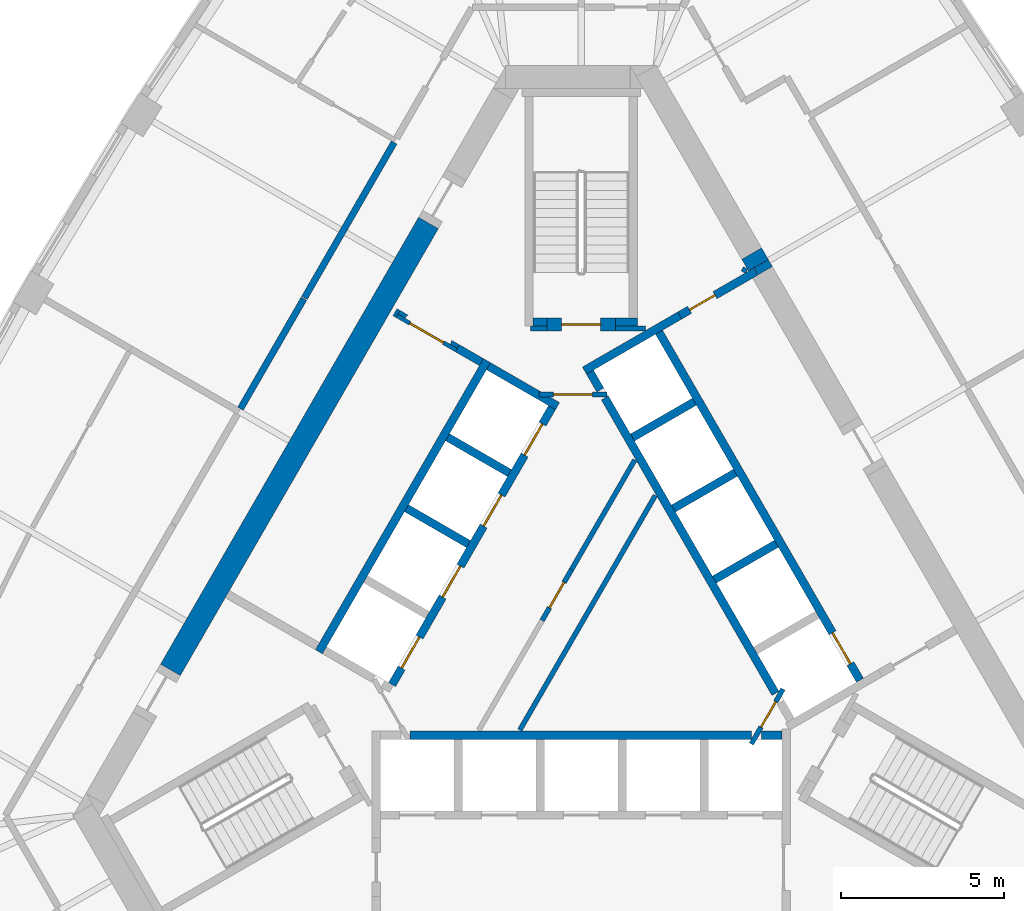
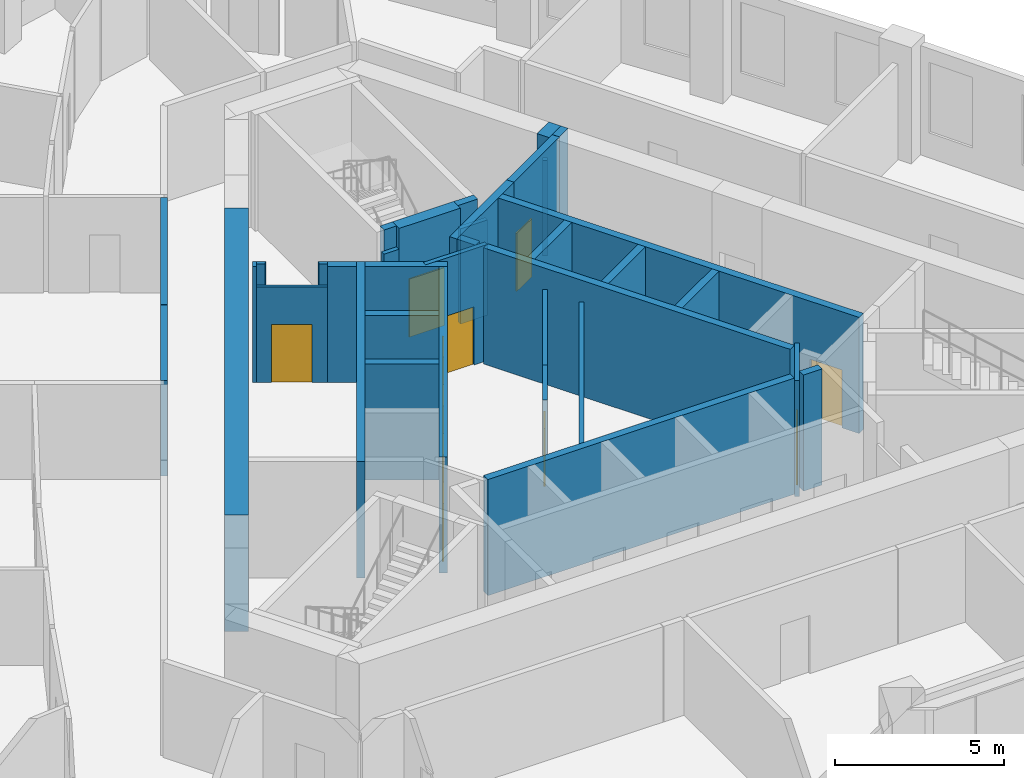
# One storey, part 5 of 10: 36 walls, 11 doors, 11 openings.
"""IFC4 building model written with IfcOpenShell, lengths in metres."""

import ifcopenshell
import ifcopenshell.guid

model = None  # the IFC model being written
_history = None  # IfcOwnerHistory: only IFC2X3 demands one
_inside = {}  # id of a spatial element -> (the spatial element, [elements in it])
_under = {}  # id of a project, library or spatial element -> (it, [spatial elements below it])
_declared = {}  # id of a project -> (the project, [libraries it declares])
_typed = {}  # id of a type object -> (the type object, [elements of that type])
_made_of = {}  # id of a material, layer set ... -> (it, [elements and type objects made of it])


def new_model(schema):
    """Start an empty IFC model of exactly this schema.

    Asked for "IFC4X3", IfcOpenShell would pick the latest addendum, in which some entities
    have other attributes; the version numbers below select the first issue.
    IFC2X3 requires an IfcOwnerHistory on every rooted entity: one is made here for all.
    """
    global model, _history
    if schema == "IFC4X3":
        model = ifcopenshell.file(schema_version=(4, 3, 0, 0))
    else:
        model = ifcopenshell.file(schema=schema)
    _inside.clear()
    _under.clear()
    _declared.clear()
    _typed.clear()
    _made_of.clear()
    _history = None
    if model.schema == "IFC2X3":
        org = make("IfcOrganization", Name="unknown")
        user = make(
            "IfcPersonAndOrganization",
            ThePerson=make("IfcPerson", FamilyName="unknown"),
            TheOrganization=org,
        )
        app = make(
            "IfcApplication",
            ApplicationDeveloper=org,
            Version="unknown",
            ApplicationFullName="unknown",
            ApplicationIdentifier="unknown",
        )
        _history = make(
            "IfcOwnerHistory",
            OwningUser=user,
            OwningApplication=app,
            ChangeAction="ADDED",
            CreationDate=0,
        )
    return model


def make(cls, **values):
    """One entity of the class cls with the attributes given. An attribute that is None is left unset."""
    return model.create_entity(
        cls, **{name: value for name, value in values.items() if value is not None}
    )


def rooted(cls, **values):
    """An entity with a GlobalId (a new one), such as an element, a storey or a relation."""
    return make(cls, GlobalId=ifcopenshell.guid.new(), OwnerHistory=_history, **values)


def si_unit(unit_type, name, prefix=None):
    """IfcSIUnit, for example si_unit("LENGTHUNIT", "METRE", prefix="MILLI")."""
    return make("IfcSIUnit", UnitType=unit_type, Prefix=prefix, Name=name)


def assignment(units):
    """IfcUnitAssignment: the units of a project."""
    return None if units is None else make("IfcUnitAssignment", Units=units)


def point(xyz):
    """IfcCartesianPoint."""
    return None if xyz is None else make("IfcCartesianPoint", Coordinates=xyz)


def direction(xyz):
    """IfcDirection."""
    return None if xyz is None else make("IfcDirection", DirectionRatios=xyz)


def frame(location, z_axis=None, x_axis=None):
    """IfcAxis2Placement3D, a coordinate frame: its origin and axes. An axis left out is left unset."""
    return make(
        "IfcAxis2Placement3D",
        Location=point(location),
        Axis=direction(z_axis),
        RefDirection=direction(x_axis),
    )


def frame_2d(location, x_axis=None):
    """IfcAxis2Placement2D, a coordinate frame in the plane: its origin and x axis."""
    return make(
        "IfcAxis2Placement2D", Location=point(location), RefDirection=direction(x_axis)
    )


def origin():
    """The frame at (0, 0, 0) with its axes left unset."""
    return frame((0.0, 0.0, 0.0))


def place(relative_to, where):
    """IfcLocalPlacement: puts the frame where relative to a parent placement (None: the world)."""
    return make(
        "IfcLocalPlacement", PlacementRelTo=relative_to, RelativePlacement=where
    )


def context(
    kind, dimensions, precision=None, world=None, true_north=None, identifier=None
):
    """IfcGeometricRepresentationContext, for example the 3D "Model" context."""
    return make(
        "IfcGeometricRepresentationContext",
        ContextIdentifier=identifier,
        ContextType=kind,
        CoordinateSpaceDimension=dimensions,
        Precision=precision,
        WorldCoordinateSystem=world,
        TrueNorth=true_north,
    )


def subcontext(parent, identifier, kind, view, scale=None):
    """IfcGeometricRepresentationSubContext, for example "Body" below "Model"."""
    return make(
        "IfcGeometricRepresentationSubContext",
        ContextIdentifier=identifier,
        ContextType=kind,
        ParentContext=parent,
        TargetScale=scale,
        TargetView=view,
    )


def project(units=None, contexts=None):
    """IfcProject with its units and contexts."""
    return rooted(
        "IfcProject",
        Name="project",
        RepresentationContexts=contexts,
        UnitsInContext=assignment(units),
    )


def spatial(cls, under=None, at=None, **own):
    """A site, building, storey or space (cls), placed at a placement, below another one or the project."""
    s = rooted(cls, ObjectPlacement=at, **own)
    if under is not None:
        _under.setdefault(under.id(), (under, []))[1].append(s)
    return s


def polyline(points):
    """IfcPolyline through the points."""
    return make("IfcPolyline", Points=[point(p) for p in points])


def profile(cls, at=None, kind="AREA", **sizes):
    """A parametric profile (cls). Its sizes go by their IFC names, for example OverallWidth=200.0."""
    return make(cls, ProfileType=kind, Position=at, **sizes)


def rectangle(**sizes):
    """IfcRectangleProfileDef."""
    return profile("IfcRectangleProfileDef", **sizes)


def outline(outer, holes=None, kind="AREA"):
    """IfcArbitraryClosedProfileDef: a profile drawn as a closed curve; with holes, ...WithVoids."""
    if holes is None:
        return make("IfcArbitraryClosedProfileDef", ProfileType=kind, OuterCurve=outer)
    return make(
        "IfcArbitraryProfileDefWithVoids",
        ProfileType=kind,
        OuterCurve=outer,
        InnerCurves=holes,
    )


def extrude(swept, where, along, depth):
    """IfcExtrudedAreaSolid: the profile swept, set in the frame where, extruded along a direction by depth."""
    return make(
        "IfcExtrudedAreaSolid",
        SweptArea=swept,
        Position=where,
        ExtrudedDirection=direction(along),
        Depth=depth,
    )


def shape(context_of_items, identifier, shape_type, items):
    """IfcShapeRepresentation: the items that make up one representation, for example the "Body"."""
    return make(
        "IfcShapeRepresentation",
        ContextOfItems=context_of_items,
        RepresentationIdentifier=identifier,
        RepresentationType=shape_type,
        Items=items,
    )


def material(Name=None, Category=None):
    """IfcMaterial."""
    return make("IfcMaterial", Name=Name, Category=Category)


def layer(
    of_material, thickness, ventilated=None, Name=None, Category=None, Priority=None
):
    """IfcMaterialLayer: one layer of a wall or slab, of a material (None: an air gap)."""
    return make(
        "IfcMaterialLayer",
        Material=of_material,
        LayerThickness=thickness,
        IsVentilated=ventilated,
        Name=Name,
        Category=Category,
        Priority=Priority,
    )


def layer_set(layers, Name=None):
    """IfcMaterialLayerSet."""
    return make("IfcMaterialLayerSet", MaterialLayers=layers, LayerSetName=Name)


def made_of(thing, what):
    """Note that an element or type object is made of a material, layer set ...; save() writes the relation."""
    if what is not None:
        _made_of.setdefault(what.id(), (what, []))[1].append(thing)
    return thing


def type_object(cls, material=None, **own):
    """A type object (cls), such as IfcWallType, which elements share."""
    return made_of(rooted(cls, **own), material)


def element(
    cls,
    number,
    at=None,
    inside=None,
    cuts=None,
    type_object=None,
    material=None,
    context=None,
    identifier="Body",
    shape_type=None,
    held_by="IfcProductDefinitionShape",
    body=None,
    shapes=None,
    **own,
):
    """One element of the class cls, such as IfcWall. Its Tag is "e" and its number.

    at: its placement. inside: the storey or other place that contains it. cuts: it is an
    opening in that element (IfcRelVoidsElement). A single representation is given by context,
    identifier, shape_type and body (its items); several are given by shapes. held_by: the class
    of the entity that holds the representations. save() writes the other relations.
    """
    e = rooted(cls, Tag="e%d" % number, ObjectPlacement=at, **own)
    if body is not None:
        shapes = [shape(context, identifier, shape_type, body)]
    if shapes is not None:
        e.Representation = make(held_by, Representations=shapes)
    if inside is not None:
        _inside.setdefault(inside.id(), (inside, []))[1].append(e)
    if cuts is not None:
        rooted(
            "IfcRelVoidsElement", RelatingBuildingElement=cuts, RelatedOpeningElement=e
        )
    if type_object is not None:
        _typed.setdefault(type_object.id(), (type_object, []))[1].append(e)
    return made_of(e, material)


def fill(opening, filler):
    """IfcRelFillsElement: the door or window that sits in an opening."""
    return rooted(
        "IfcRelFillsElement",
        RelatingOpeningElement=opening,
        RelatedBuildingElement=filler,
    )


def aggregate(whole, parts):
    """IfcRelAggregates: a whole, such as a stair, and the parts it consists of."""
    return rooted("IfcRelAggregates", RelatingObject=whole, RelatedObjects=parts)


def save(model, path):
    """Write the relations noted so far, then the file.

    IfcRelAggregates (storeys below a building ...), IfcRelContainedInSpatialStructure (elements
    in a storey), IfcRelDefinesByType, IfcRelAssociatesMaterial and IfcRelDeclares: one each for
    every whole, place, type object, material and project.
    """
    for whole, parts in _under.values():
        aggregate(whole, parts)
    for where, things in _inside.values():
        rooted(
            "IfcRelContainedInSpatialStructure",
            RelatedElements=things,
            RelatingStructure=where,
        )
    for kind, things in _typed.values():
        rooted("IfcRelDefinesByType", RelatedObjects=things, RelatingType=kind)
    for what, things in _made_of.values():
        rooted("IfcRelAssociatesMaterial", RelatedObjects=things, RelatingMaterial=what)
    for by, libraries in _declared.values():
        rooted("IfcRelDeclares", RelatingContext=by, RelatedDefinitions=libraries)
    model.write(path)


model = new_model("IFC4")

# Units and contexts
model_context = context("Model", 3, precision=1e-05, world=origin(), true_north=direction((0.0, 1.0)))
body_context = subcontext(model_context, "Body", "Model", "MODEL_VIEW")
ifc_project = project(units=[si_unit("LENGTHUNIT", "METRE"), si_unit("AREAUNIT", "SQUARE_METRE"), si_unit("VOLUMEUNIT", "CUBIC_METRE"), si_unit("PLANEANGLEUNIT", "RADIAN"), si_unit("MASSUNIT", "GRAM", prefix="KILO")], contexts=[model_context])

# Site, building, storey
site_placement = place(None, origin())
site = spatial("IfcSite", under=ifc_project, at=site_placement, CompositionType="ELEMENT")
building_placement = place(site_placement, origin())
building = spatial("IfcBuilding", under=site, at=building_placement, Name="Mestral Congress Tower", CompositionType="ELEMENT")
storey_placement = place(building_placement, frame((0.0, 0.0, 222.60009765625)))
storey = spatial("IfcBuildingStorey", under=building, at=storey_placement, Name="L52", CompositionType="ELEMENT", Elevation=222.60009765625)

# Walls
ifc_material_1 = material(Name="Fire-rated board partition")
ifc_layer_1 = layer(ifc_material_1, 0.14990234375)
ifc_layer_set_1 = layer_set([ifc_layer_1], Name="Fire-rated board partition")
wall_type_1 = type_object("IfcWallType", Name="Core partition 150", PredefinedType="PARTITIONING", material=ifc_layer_set_1)
wall_1_placement = place(storey_placement, frame((1.050048828125, 8.62548828125, 0.0), z_axis=(0.0, 0.0, 1.0), x_axis=(1.0, 0.0, 0.0)))
element("IfcWall", 1, at=wall_1_placement, inside=storey, type_object=wall_type_1, Name="L52 core wall", PredefinedType="PARTITIONING", context=body_context, shape_type="SweptSolid", body=[
    extrude(rectangle(XDim=0.9287109375, YDim=0.14990234375, at=frame_2d((0.46435546875, 0.0))), origin(), (0.0, 0.0, 1.0), 3.449951171875),
])
wall_2_placement = place(storey_placement, frame((-1.56396484375, 8.62548828125, 0.0), z_axis=(0.0, 0.0, 1.0), x_axis=(1.0, 0.0, 0.0)))
element("IfcWall", 2, at=wall_2_placement, inside=storey, type_object=wall_type_1, Name="L52 core wall", PredefinedType="PARTITIONING", context=body_context, shape_type="SweptSolid", body=[
    extrude(rectangle(XDim=0.513916015625, YDim=0.14990234375, at=frame_2d((0.2568359375, 0.0))), origin(), (0.0, 0.0, 1.0), 3.449951171875),
])
wall_3_placement = place(storey_placement, frame((4.97998046875, 10.35791015625, 0.0), z_axis=(0.0, 0.0, 1.0), x_axis=(0.500640202437, 0.86565546709, 0.0)))
element("IfcWall", 3, at=wall_3_placement, inside=storey, type_object=wall_type_1, Name="L52 core wall", PredefinedType="PARTITIONING", context=body_context, shape_type="SweptSolid", body=[
    extrude(rectangle(XDim=0.145751953125, YDim=0.14990234375, at=frame_2d((0.07275390625, 0.0))), origin(), (0.0, 0.0, 1.0), 3.449951171875),
])
wall_4_placement = place(storey_placement, frame((-1.886962890625, -3.71826171875, 0.0), z_axis=(0.0, 0.0, 1.0), x_axis=(0.500005008002, 0.866022512394, 0.0)))
element("IfcWall", 4, at=wall_4_placement, inside=storey, type_object=wall_type_1, Name="L52 core wall", PredefinedType="PARTITIONING", context=body_context, shape_type="SweptSolid", body=[
    extrude(rectangle(XDim=8.3271484375, YDim=0.14990234375, at=frame_2d((4.16357421875, 0.0))), origin(), (0.0, 0.0, 1.0), 3.449951171875),
])
wall_5_placement = place(storey_placement, frame((-0.2998046875, 1.21240234375, 0.0), z_axis=(0.0, 0.0, 1.0), x_axis=(0.499963101113, 0.866046706318, 0.0)))
element("IfcWall", 5, at=wall_5_placement, inside=storey, type_object=wall_type_1, Name="L52 core wall", PredefinedType="PARTITIONING", context=body_context, shape_type="SweptSolid", body=[
    extrude(rectangle(XDim=3.893310546875, YDim=0.14990234375, at=frame_2d((1.94677734375, 0.0))), origin(), (0.0, 0.0, 1.0), 3.449951171875),
])

# Wall, opening, door
wall_6_placement = place(storey_placement, frame((-1.199951171875, -0.346435546875, 0.0), z_axis=(0.0, 0.0, 1.0), x_axis=(0.499961193289, 0.866047807691, 0.0)))
wall_6 = element("IfcWall", 6, at=wall_6_placement, inside=storey, type_object=wall_type_1, Name="L52 door wall", PredefinedType="PARTITIONING", context=body_context, shape_type="SweptSolid", body=[
    extrude(rectangle(XDim=1.800048828125, YDim=0.14990234375, at=frame_2d((0.89990234375, 0.0))), origin(), (0.0, 0.0, 1.0), 3.449951171875),
])
opening_1_placement = place(wall_6_placement, frame((0.449951171875, 0.0, 0.0)))
opening_1 = element("IfcOpeningElement", 7, at=opening_1_placement, cuts=wall_6, Name="Opening SD-HUB1", PredefinedType="OPENING", context=body_context, shape_type="SweptSolid", body=[
    extrude(rectangle(XDim=0.89990234375, YDim=2.10009765625, at=frame_2d((0.449951171875, 1.050048828125))), frame((0.0, 0.0849609375, 0.0), z_axis=(0.0, -1.0, 0.0), x_axis=(1.0, 0.0, 0.0)), (0.0, 0.0, 1.0), 0.169921875),
])
ifc_material_2 = material(Name="Fire-rated steel door set", Category="steel")
door_type_1 = type_object("IfcDoorType", Name="Core door SR 900x2100", OperationType="SINGLE_SWING_LEFT", PredefinedType="DOOR", material=ifc_material_2)
door_1_placement = place(opening_1_placement, origin())
door_1 = element("IfcDoor", 8, at=door_1_placement, inside=storey, type_object=door_type_1, Name="Door SD-HUB1", OperationType="SINGLE_SWING_LEFT", OverallHeight=2.10009765625, OverallWidth=0.89990234375, PredefinedType="DOOR", context=body_context, shape_type="SweptSolid", body=[
    extrude(rectangle(XDim=0.89990234375, YDim=2.10009765625, at=frame_2d((0.449951171875, 1.050048828125))), frame((0.0, 0.02490234375, 0.0), z_axis=(0.0, -1.0, 0.0), x_axis=(1.0, 0.0, 0.0)), (0.0, 0.0, 1.0), 0.050048828125),
])
fill(opening_1, door_1)

ifc_layer_2 = layer(ifc_material_1, 0.1201171875)
ifc_layer_set_2 = layer_set([ifc_layer_2], Name="Fire-rated board partition")
wall_type_2 = type_object("IfcWallType", Name="Core partition 150 door-wall 120", PredefinedType="PARTITIONING", material=ifc_layer_set_2)
wall_7_placement = place(storey_placement, frame((-5.65869140625, 9.01171875, 0.0), z_axis=(0.0, 0.0, 1.0), x_axis=(0.866009402589, -0.500027713859, 0.0)))
wall_7 = element("IfcWall", 9, at=wall_7_placement, inside=storey, type_object=wall_type_2, Name="L52 door wall", PredefinedType="PARTITIONING", context=body_context, shape_type="SweptSolid", body=[
    extrude(rectangle(XDim=2.10009765625, YDim=0.1201171875, at=frame_2d((1.050048828125, 0.0))), origin(), (0.0, 0.0, 1.0), 3.449951171875),
])
opening_2_placement = place(wall_7_placement, frame((0.449951171875, 0.0, 0.0)))
opening_2 = element("IfcOpeningElement", 10, at=opening_2_placement, cuts=wall_7, Name="Opening LB2-WL2", PredefinedType="OPENING", context=body_context, shape_type="SweptSolid", body=[
    extrude(rectangle(XDim=1.199951171875, YDim=2.10009765625, at=frame_2d((0.60009765625, 1.050048828125))), frame((0.0, 0.070068359375, 0.0), z_axis=(0.0, -1.0, 0.0), x_axis=(1.0, 0.0, 0.0)), (0.0, 0.0, 1.0), 0.14013671875),
])
door_type_2 = type_object("IfcDoorType", Name="Core door LB 1200x2100", OperationType="SINGLE_SWING_LEFT", PredefinedType="DOOR", material=ifc_material_2)
door_2_placement = place(opening_2_placement, origin())
door_2 = element("IfcDoor", 11, at=door_2_placement, inside=storey, type_object=door_type_2, Name="Door LB2-WL2", OperationType="SINGLE_SWING_LEFT", OverallHeight=2.10009765625, OverallWidth=1.199951171875, PredefinedType="DOOR", context=body_context, shape_type="SweptSolid", body=[
    extrude(rectangle(XDim=1.199951171875, YDim=2.10009765625, at=frame_2d((0.60009765625, 1.050048828125))), frame((0.0, 0.02490234375, 0.0), z_axis=(0.0, -1.0, 0.0), x_axis=(1.0, 0.0, 0.0)), (0.0, 0.0, 1.0), 0.050048828125),
])
fill(opening_2, door_2)

# Walls
ifc_material_3 = material(Name="Concrete C60/75", Category="concrete")
ifc_layer_3 = layer(ifc_material_3, 0.699951171875)
ifc_layer_set_3 = layer_set([ifc_layer_3], Name="Concrete C60/75")
wall_type_3 = type_object("IfcWallType", Name="Core wall RC 700", PredefinedType="SOLIDWALL", material=ifc_layer_set_3)
wall_8_placement = place(storey_placement, frame((5.4453125, 10.568603515625, 0.0), z_axis=(0.0, 0.0, 1.0), x_axis=(-0.500218351069, 0.865899302029, 0.0)))
element("IfcWall", 12, at=wall_8_placement, inside=storey, type_object=wall_type_3, Name="L52 core wall", PredefinedType="SOLIDWALL", context=body_context, shape_type="SweptSolid", body=[
    extrude(rectangle(XDim=0.411865234375, YDim=0.699951171875, at=frame_2d((0.2060546875, 0.0))), origin(), (0.0, 0.0, 1.0), 4.199951171875),
])
placement = place(storey_placement, origin())
element("IfcWall", 13, at=placement, inside=storey, type_object=wall_type_3, Name="L52 core wall", PredefinedType="SOLIDWALL", context=body_context, shape_type="SweptSolid", body=[
    extrude(outline(polyline([(5.431640625, 10.272216796875), (5.3076171875, 10.48681640625), (5.749267578125, 10.741943359375), (5.873291015625, 10.527099609375), (5.431640625, 10.272216796875)])), origin(), (0.0, 0.0, 1.0), 4.199951171875),
])
wall_10_placement = place(storey_placement, frame((-12.625, -1.866943359375, 0.0), z_axis=(0.0, 0.0, 1.0), x_axis=(0.500008520515, 0.866020484407, 0.0)))
element("IfcWall", 14, at=wall_10_placement, inside=storey, type_object=wall_type_3, Name="L52 core wall", PredefinedType="SOLIDWALL", context=body_context, shape_type="SweptSolid", body=[
    extrude(rectangle(XDim=15.858642578125, YDim=0.699951171875, at=frame_2d((7.92919921875, 0.0))), origin(), (0.0, 0.0, 1.0), 4.199951171875),
])
ifc_material_4 = material(Name="Dense masonry wall, plastered", Category="masonry")
ifc_layer_4 = layer(ifc_material_4, 0.199951171875)
ifc_layer_set_4 = layer_set([ifc_layer_4], Name="Dense masonry wall, plastered")
wall_type_4 = type_object("IfcWallType", Name="Office tenancy wall 200", PredefinedType="PARTITIONING", material=ifc_layer_set_4)
wall_11_placement = place(storey_placement, frame((-8.522216796875, 9.5390625, 0.0), z_axis=(0.0, 0.0, 1.0), x_axis=(-0.499997012787, -0.866027128446, 0.0)))
element("IfcWall", 15, at=wall_11_placement, inside=storey, type_object=wall_type_4, Name="Tenancy wall", PredefinedType="PARTITIONING", context=body_context, shape_type="SweptSolid", body=[
    extrude(rectangle(XDim=3.89990234375, YDim=0.199951171875, at=frame_2d((1.949951171875, 0.0))), origin(), (0.0, 0.0, 1.0), 3.449951171875),
])
wall_12_placement = place(storey_placement, frame((-5.749755859375, 14.341064453125, 0.0), z_axis=(0.0, 0.0, 1.0), x_axis=(-0.499995817524, -0.866027818524, 0.0)))
element("IfcWall", 16, at=wall_12_placement, inside=storey, type_object=wall_type_4, Name="Tenancy wall", PredefinedType="PARTITIONING", context=body_context, shape_type="SweptSolid", body=[
    extrude(rectangle(XDim=5.5146484375, YDim=0.199951171875, at=frame_2d((2.75732421875, 0.0))), origin(), (0.0, 0.0, 1.0), 3.449951171875),
])
ifc_layer_5 = layer(ifc_material_3, 0.25)
ifc_layer_set_5 = layer_set([ifc_layer_5], Name="Concrete C60/75")
wall_type_5 = type_object("IfcWallType", Name="Shaft wall RC 250", PredefinedType="SOLIDWALL", material=ifc_layer_set_5)
wall_13_placement = place(storey_placement, frame((-5.25927734375, -3.875, 0.0), z_axis=(0.0, 0.0, 1.0), x_axis=(1.0, 0.0, 0.0)))
element("IfcWall", 17, at=wall_13_placement, inside=storey, type_object=wall_type_5, Name="L52 core wall", PredefinedType="SOLIDWALL", context=body_context, shape_type="SweptSolid", body=[
    extrude(rectangle(XDim=10.488525390625, YDim=0.25, at=frame_2d((5.244140625, 0.0))), origin(), (0.0, 0.0, 1.0), 4.199951171875),
])
wall_14_placement = place(storey_placement, frame((5.538330078125, -3.875, 0.0), z_axis=(0.0, 0.0, 1.0), x_axis=(1.0, 0.0, 0.0)))
element("IfcWall", 18, at=wall_14_placement, inside=storey, type_object=wall_type_5, Name="L52 core wall", PredefinedType="SOLIDWALL", context=body_context, shape_type="SweptSolid", body=[
    extrude(rectangle(XDim=0.63671875, YDim=0.25, at=frame_2d((0.318359375, 0.0))), origin(), (0.0, 0.0, 1.0), 4.199951171875),
])
wall_15_placement = place(storey_placement, frame((3.02783203125, 9.022705078125, 0.0), z_axis=(0.0, 0.0, 1.0), x_axis=(-0.866036587186, -0.49998062928, 0.0)))
element("IfcWall", 19, at=wall_15_placement, inside=storey, type_object=wall_type_5, Name="L52 core wall", PredefinedType="SOLIDWALL", context=body_context, shape_type="SweptSolid", body=[
    extrude(rectangle(XDim=3.383544921875, YDim=0.25, at=frame_2d((1.69189453125, 0.0))), origin(), (0.0, 0.0, 1.0), 4.199951171875),
])
wall_16_placement = place(storey_placement, frame((0.268310546875, 7.28515625, 0.0), z_axis=(0.0, 0.0, 1.0), x_axis=(0.500098681536, -0.865968422476, 0.0)))
element("IfcWall", 20, at=wall_16_placement, inside=storey, type_object=wall_type_5, Name="L52 core wall", PredefinedType="SOLIDWALL", context=body_context, shape_type="SweptSolid", body=[
    extrude(rectangle(XDim=0.636474609375, YDim=0.25, at=frame_2d((0.318359375, 0.0))), origin(), (0.0, 0.0, 1.0), 4.199951171875),
])
wall_17_placement = place(storey_placement, frame((5.970458984375, -2.591064453125, 0.0), z_axis=(0.0, 0.0, 1.0), x_axis=(-0.499994469932, 0.866028596547, 0.0)))
element("IfcWall", 21, at=wall_17_placement, inside=storey, type_object=wall_type_5, Name="L52 core wall", PredefinedType="SOLIDWALL", context=body_context, shape_type="SweptSolid", body=[
    extrude(rectangle(XDim=10.48828125, YDim=0.25, at=frame_2d((5.244140625, 0.0))), origin(), (0.0, 0.0, 1.0), 4.199951171875),
])
wall_18_placement = place(storey_placement, frame((1.57421875, 5.273681640625, 0.0), z_axis=(0.0, 0.0, 1.0), x_axis=(0.866028486751, 0.499994660107, 0.0)))
element("IfcWall", 22, at=wall_18_placement, inside=storey, type_object=wall_type_5, Name="L52 core wall", PredefinedType="SOLIDWALL", context=body_context, shape_type="SweptSolid", body=[
    extrude(rectangle(XDim=2.19970703125, YDim=0.25, at=frame_2d((1.099853515625, 0.0))), origin(), (0.0, 0.0, 1.0), 4.199951171875),
])
for number, where, z_axis, x_axis, name in (
    (23, (2.833984375, 3.091064453125, 0.0), (0.0, 0.0, 1.0), (0.866008176907, 0.50002983664, 0.0), "L52 core wall"),
    (24, (4.093994140625, 0.90869140625, 0.0), (0.0, 0.0, 1.0), (0.866008176907, 0.50002983664, 0.0), "L52 core wall"),
):
    element("IfcWall", number, at=place(storey_placement, frame(where, z_axis=z_axis, x_axis=x_axis)), inside=storey, type_object=wall_type_5, Name=name, PredefinedType="SOLIDWALL", context=body_context, shape_type="SweptSolid", body=[
        extrude(rectangle(XDim=2.199951171875, YDim=0.25, at=frame_2d((1.10009765625, 0.0))), origin(), (0.0, 0.0, 1.0), 4.199951171875),
    ])
wall_19_placement = place(storey_placement, frame((-8.06005859375, -1.310546875, 0.0), z_axis=(0.0, 0.0, 1.0), x_axis=(0.50000273126, 0.866023826885, 0.0)))
element("IfcWall", 25, at=wall_19_placement, inside=storey, type_object=wall_type_5, Name="L52 core wall", PredefinedType="SOLIDWALL", context=body_context, shape_type="SweptSolid", body=[
    extrude(rectangle(XDim=10.330078125, YDim=0.25, at=frame_2d((5.1650390625, 0.0))), origin(), (0.0, 0.0, 1.0), 4.199951171875),
])
element("IfcWall", 26, at=placement, inside=storey, type_object=wall_type_5, Name="L52 core wall", PredefinedType="SOLIDWALL", context=body_context, shape_type="SweptSolid", body=[
    extrude(outline(polyline([(-2.911865234375, 7.3564453125), (-2.786865234375, 7.572998046875), (-1.231689453125, 6.675048828125), (-1.303466796875, 6.675048828125), (-1.3037109375, 6.675048828125), (-1.3037109375, 6.675048828125), (-1.3037109375, 6.52490234375), (-1.3037109375, 6.52490234375), (-1.303466796875, 6.52490234375), (-0.971435546875, 6.52490234375), (-0.6650390625, 6.347900390625), (-0.7900390625, 6.131591796875), (-1.006591796875, 6.256591796875), (-1.006591796875, 6.256591796875), (-2.911865234375, 7.3564453125)])), origin(), (0.0, 0.0, 1.0), 4.199951171875),
])
for number, where, z_axis, x_axis, name in (
    (27, (-2.2041015625, 4.182373046875, 0.0), (0.0, 0.0, 1.0), (-0.866008176907, 0.50002983664, 0.0), "L52 core wall"),
    (28, (-5.369384765625, 3.10009765625, 0.0), (0.0, 0.0, 1.0), (0.866008176907, -0.50002983664, 0.0), "L52 core wall"),
):
    element("IfcWall", number, at=place(storey_placement, frame(where, z_axis=z_axis, x_axis=x_axis)), inside=storey, type_object=wall_type_5, Name=name, PredefinedType="SOLIDWALL", context=body_context, shape_type="SweptSolid", body=[
        extrude(rectangle(XDim=2.199951171875, YDim=0.25, at=frame_2d((1.10009765625, 0.0))), origin(), (0.0, 0.0, 1.0), 4.199951171875),
    ])
wall_21_placement = place(storey_placement, frame((-5.724609375, 9.124755859375, 0.0), z_axis=(0.0, 0.0, 1.0), x_axis=(0.866185586049, -0.49972245349, 0.0)))
element("IfcWall", 29, at=wall_21_placement, inside=storey, type_object=wall_type_5, Name="L52 core wall", PredefinedType="SOLIDWALL", context=body_context, shape_type="SweptSolid", body=[
    extrude(rectangle(XDim=0.10986328125, YDim=0.25, at=frame_2d((0.054931640625, 0.0))), origin(), (0.0, 0.0, 1.0), 4.199951171875),
])
wall_22_placement = place(storey_placement, frame((-3.06591796875, 7.58984375, 0.0), z_axis=(0.0, 0.0, 1.0), x_axis=(-0.866081358704, 0.49990307071, 0.0)))
element("IfcWall", 30, at=wall_22_placement, inside=storey, type_object=wall_type_5, Name="L52 core wall", PredefinedType="SOLIDWALL", context=body_context, shape_type="SweptSolid", body=[
    extrude(rectangle(XDim=0.858154296875, YDim=0.25, at=frame_2d((0.42919921875, 0.0))), origin(), (0.0, 0.0, 1.0), 4.199951171875),
])
element("IfcWall", 31, at=placement, inside=storey, type_object=wall_type_5, Name="L52 core wall", PredefinedType="SOLIDWALL", context=body_context, shape_type="SweptSolid", body=[
    extrude(outline(polyline([(-3.748291015625, 8.1279296875), (-3.813232421875, 8.015380859375), (-4.026611328125, 8.138671875), (-4.0166015625, 8.156005859375), (-4.007568359375, 8.17333984375), (-4.000244140625, 8.191650390625), (-3.994873046875, 8.21044921875), (-3.991455078125, 8.229736328125), (-3.98974609375, 8.24951171875), (-3.989990234375, 8.267578125), (-3.748291015625, 8.1279296875)])), origin(), (0.0, 0.0, 1.0), 4.199951171875),
])
element("IfcWall", 32, at=placement, inside=storey, type_object=wall_type_5, Name="L52 core wall", PredefinedType="SOLIDWALL", context=body_context, shape_type="SweptSolid", body=[
    extrude(outline(polyline([(-5.688720703125, 8.959716796875), (-5.690185546875, 8.960693359375), (-5.565185546875, 9.177001953125), (-5.318603515625, 9.03466796875), (-5.334716796875, 9.02587890625), (-5.3505859375, 9.0146484375), (-5.36572265625, 9.001953125), (-5.37939453125, 8.98779296875), (-5.3916015625, 8.972412109375), (-5.402099609375, 8.955810546875), (-5.412109375, 8.938720703125), (-5.628662109375, 9.063720703125), (-5.628662109375, 9.063720703125), (-5.688720703125, 8.959716796875)])), origin(), (0.0, 0.0, 1.0), 4.199951171875),
])

# Wall, opening, door
wall_25_placement = place(storey_placement, frame((8.565185546875, -2.185302734375, 0.0), z_axis=(0.0, 0.0, 1.0), x_axis=(-0.499997954832, 0.866026584559, 0.0)))
wall_25 = element("IfcWall", 33, at=wall_25_placement, inside=storey, type_object=wall_type_5, Name="L52 door wall", PredefinedType="SOLIDWALL", context=body_context, shape_type="SweptSolid", body=[
    extrude(rectangle(XDim=12.35009765625, YDim=0.25, at=frame_2d((6.175048828125, 0.0))), origin(), (0.0, 0.0, 1.0), 4.199951171875),
])
opening_3_placement = place(wall_25_placement, frame((0.5849609375, 0.0, 0.0)))
opening_3 = element("IfcOpeningElement", 34, at=opening_3_placement, cuts=wall_25, Name="Opening LD-NEB1", PredefinedType="OPENING", context=body_context, shape_type="SweptSolid", body=[
    extrude(rectangle(XDim=1.10009765625, YDim=2.10009765625, at=frame_2d((0.550048828125, 1.050048828125))), frame((0.0, 0.135009765625, 0.0), z_axis=(0.0, -1.0, 0.0), x_axis=(1.0, 0.0, 0.0)), (0.0, 0.0, 1.0), 0.27001953125),
])
door_type_3 = type_object("IfcDoorType", Name="Core door LD 1100x2100", OperationType="DOUBLE_DOOR_SLIDING", PredefinedType="DOOR", material=ifc_material_2)
door_3_placement = place(opening_3_placement, origin())
door_3 = element("IfcDoor", 35, at=door_3_placement, inside=storey, type_object=door_type_3, Name="Door LD-NEB1", OperationType="DOUBLE_DOOR_SLIDING", OverallHeight=2.10009765625, OverallWidth=1.10009765625, PredefinedType="DOOR", context=body_context, shape_type="SweptSolid", body=[
    extrude(rectangle(XDim=1.10009765625, YDim=2.10009765625, at=frame_2d((0.550048828125, 1.050048828125))), frame((0.0, 0.02490234375, 0.0), z_axis=(0.0, -1.0, 0.0), x_axis=(1.0, 0.0, 0.0)), (0.0, 0.0, 1.0), 0.050048828125),
])
fill(opening_3, door_3)

# Wall, openings, doors
wall_26_placement = place(storey_placement, frame((-0.898193359375, 6.194091796875, 0.0), z_axis=(0.0, 0.0, 1.0), x_axis=(-0.499996202215, -0.866027596426, 0.0)))
wall_26 = element("IfcWall", 36, at=wall_26_placement, inside=storey, type_object=wall_type_5, Name="L52 door wall", PredefinedType="SOLIDWALL", context=body_context, shape_type="SweptSolid", body=[
    extrude(rectangle(XDim=9.830078125, YDim=0.25, at=frame_2d((4.9150390625, 0.0))), origin(), (0.0, 0.0, 1.0), 4.199951171875),
])
opening_4_placement = place(wall_26_placement, frame((0.5849609375, 0.0, 0.0)))
opening_4 = element("IfcOpeningElement", 37, at=opening_4_placement, cuts=wall_26, Name="Opening LD-NWB1", PredefinedType="OPENING", context=body_context, shape_type="SweptSolid", body=[
    extrude(rectangle(XDim=1.10009765625, YDim=2.10009765625, at=frame_2d((0.550048828125, 1.050048828125))), frame((0.0, 0.135009765625, 0.0), z_axis=(0.0, -1.0, 0.0), x_axis=(1.0, 0.0, 0.0)), (0.0, 0.0, 1.0), 0.27001953125),
])
opening_5_placement = place(wall_26_placement, frame((3.10498046875, 0.0, 0.0)))
opening_5 = element("IfcOpeningElement", 38, at=opening_5_placement, cuts=wall_26, Name="Opening LD-NWB2", PredefinedType="OPENING", context=body_context, shape_type="SweptSolid", body=[
    extrude(rectangle(XDim=1.10009765625, YDim=2.10009765625, at=frame_2d((0.550048828125, 1.050048828125))), frame((0.0, 0.135009765625, 0.0), z_axis=(0.0, -1.0, 0.0), x_axis=(1.0, 0.0, 0.0)), (0.0, 0.0, 1.0), 0.27001953125),
])
opening_6_placement = place(wall_26_placement, frame((5.625, 0.0, 0.0)))
opening_6 = element("IfcOpeningElement", 39, at=opening_6_placement, cuts=wall_26, Name="Opening LD-NWB3", PredefinedType="OPENING", context=body_context, shape_type="SweptSolid", body=[
    extrude(rectangle(XDim=1.10009765625, YDim=2.10009765625, at=frame_2d((0.550048828125, 1.050048828125))), frame((0.0, 0.135009765625, 0.0), z_axis=(0.0, -1.0, 0.0), x_axis=(1.0, 0.0, 0.0)), (0.0, 0.0, 1.0), 0.27001953125),
])
opening_7_placement = place(wall_26_placement, frame((8.14501953125, 0.0, 0.0)))
opening_7 = element("IfcOpeningElement", 40, at=opening_7_placement, cuts=wall_26, Name="Opening LD-NWB4", PredefinedType="OPENING", context=body_context, shape_type="SweptSolid", body=[
    extrude(rectangle(XDim=1.10009765625, YDim=2.10009765625, at=frame_2d((0.550048828125, 1.050048828125))), frame((0.0, 0.135009765625, 0.0), z_axis=(0.0, -1.0, 0.0), x_axis=(1.0, 0.0, 0.0)), (0.0, 0.0, 1.0), 0.27001953125),
])
door_4_placement = place(opening_4_placement, origin())
door_4 = element("IfcDoor", 41, at=door_4_placement, inside=storey, type_object=door_type_3, Name="Door LD-NWB1", OperationType="DOUBLE_DOOR_SLIDING", OverallHeight=2.10009765625, OverallWidth=1.10009765625, PredefinedType="DOOR", context=body_context, shape_type="SweptSolid", body=[
    extrude(rectangle(XDim=1.10009765625, YDim=2.10009765625, at=frame_2d((0.550048828125, 1.050048828125))), frame((0.0, 0.02490234375, 0.0), z_axis=(0.0, -1.0, 0.0), x_axis=(1.0, 0.0, 0.0)), (0.0, 0.0, 1.0), 0.050048828125),
])
fill(opening_4, door_4)
door_5_placement = place(opening_5_placement, origin())
door_5 = element("IfcDoor", 42, at=door_5_placement, inside=storey, type_object=door_type_3, Name="Door LD-NWB2", OperationType="DOUBLE_DOOR_SLIDING", OverallHeight=2.10009765625, OverallWidth=1.10009765625, PredefinedType="DOOR", context=body_context, shape_type="SweptSolid", body=[
    extrude(rectangle(XDim=1.10009765625, YDim=2.10009765625, at=frame_2d((0.550048828125, 1.050048828125))), frame((0.0, 0.02490234375, 0.0), z_axis=(0.0, -1.0, 0.0), x_axis=(1.0, 0.0, 0.0)), (0.0, 0.0, 1.0), 0.050048828125),
])
fill(opening_5, door_5)
door_6_placement = place(opening_6_placement, origin())
door_6 = element("IfcDoor", 43, at=door_6_placement, inside=storey, type_object=door_type_3, Name="Door LD-NWB3", OperationType="DOUBLE_DOOR_SLIDING", OverallHeight=2.10009765625, OverallWidth=1.10009765625, PredefinedType="DOOR", context=body_context, shape_type="SweptSolid", body=[
    extrude(rectangle(XDim=1.10009765625, YDim=2.10009765625, at=frame_2d((0.550048828125, 1.050048828125))), frame((0.0, 0.02490234375, 0.0), z_axis=(0.0, -1.0, 0.0), x_axis=(1.0, 0.0, 0.0)), (0.0, 0.0, 1.0), 0.050048828125),
])
fill(opening_6, door_6)
door_7_placement = place(opening_7_placement, origin())
door_7 = element("IfcDoor", 44, at=door_7_placement, inside=storey, type_object=door_type_3, Name="Door LD-NWB4", OperationType="DOUBLE_DOOR_SLIDING", OverallHeight=2.10009765625, OverallWidth=1.10009765625, PredefinedType="DOOR", context=body_context, shape_type="SweptSolid", body=[
    extrude(rectangle(XDim=1.10009765625, YDim=2.10009765625, at=frame_2d((0.550048828125, 1.050048828125))), frame((0.0, 0.02490234375, 0.0), z_axis=(0.0, -1.0, 0.0), x_axis=(1.0, 0.0, 0.0)), (0.0, 0.0, 1.0), 0.050048828125),
])
fill(opening_7, door_7)

# Wall, opening, door
wall_27_placement = place(storey_placement, frame((5.3662109375, 10.372802734375, 0.0), z_axis=(0.0, 0.0, 1.0), x_axis=(-0.866019956843, -0.50000943426, 0.0)))
wall_27 = element("IfcWall", 45, at=wall_27_placement, inside=storey, type_object=wall_type_5, Name="L52 door wall", PredefinedType="SOLIDWALL", context=body_context, shape_type="SweptSolid", body=[
    extrude(rectangle(XDim=2.7001953125, YDim=0.25, at=frame_2d((1.35009765625, 0.0))), origin(), (0.0, 0.0, 1.0), 4.199951171875),
])
opening_8_placement = place(wall_27_placement, frame((1.449951171875, 0.0, 0.0)))
opening_8 = element("IfcOpeningElement", 46, at=opening_8_placement, cuts=wall_27, Name="Opening TD2", PredefinedType="OPENING", context=body_context, shape_type="SweptSolid", body=[
    extrude(rectangle(XDim=0.89990234375, YDim=2.10009765625, at=frame_2d((0.449951171875, 1.050048828125))), frame((0.0, 0.135009765625, 0.0), z_axis=(0.0, -1.0, 0.0), x_axis=(1.0, 0.0, 0.0)), (0.0, 0.0, 1.0), 0.27001953125),
])
door_8_placement = place(opening_8_placement, origin())
door_8 = element("IfcDoor", 47, at=door_8_placement, inside=storey, type_object=door_type_1, Name="Door TD2", OperationType="SINGLE_SWING_LEFT", OverallHeight=2.10009765625, OverallWidth=0.89990234375, PredefinedType="DOOR", context=body_context, shape_type="SweptSolid", body=[
    extrude(rectangle(XDim=0.89990234375, YDim=2.10009765625, at=frame_2d((0.449951171875, 1.050048828125))), frame((0.0, 0.02490234375, 0.0), z_axis=(0.0, -1.0, 0.0), x_axis=(1.0, 0.0, 0.0)), (0.0, 0.0, 1.0), 0.050048828125),
])
fill(opening_8, door_8)

ifc_layer_6 = layer(ifc_material_3, 0.14990234375)
ifc_layer_set_6 = layer_set([ifc_layer_6], Name="Concrete C60/75")
wall_type_6 = type_object("IfcWallType", Name="Shaft wall RC 250 door-wall 150", PredefinedType="SOLIDWALL", material=ifc_layer_set_6)
wall_28_placement = place(storey_placement, frame((6.203369140625, -2.45556640625, 0.0), z_axis=(0.0, 0.0, 1.0), x_axis=(-0.500043961785, -0.866000020948, 0.0)))
wall_28 = element("IfcWall", 48, at=wall_28_placement, inside=storey, type_object=wall_type_6, Name="L52 door wall", PredefinedType="PARTITIONING", context=body_context, shape_type="SweptSolid", body=[
    extrude(rectangle(XDim=1.949951171875, YDim=0.14990234375, at=frame_2d((0.97509765625, 0.0))), origin(), (0.0, 0.0, 1.0), 4.199951171875),
])
opening_9_placement = place(wall_28_placement, frame((0.449951171875, 0.0, 0.0)))
opening_9 = element("IfcOpeningElement", 49, at=opening_9_placement, cuts=wall_28, Name="Opening CD1-HUB0", PredefinedType="OPENING", context=body_context, shape_type="SweptSolid", body=[
    extrude(rectangle(XDim=0.89990234375, YDim=2.10009765625, at=frame_2d((0.449951171875, 1.050048828125))), frame((0.0, 0.0849609375, 0.0), z_axis=(0.0, -1.0, 0.0), x_axis=(1.0, 0.0, 0.0)), (0.0, 0.0, 1.0), 0.169921875),
])
door_type_4 = type_object("IfcDoorType", Name="Core door CD 900x2100", OperationType="SINGLE_SWING_LEFT", PredefinedType="DOOR", material=ifc_material_2)
door_9_placement = place(opening_9_placement, origin())
door_9 = element("IfcDoor", 50, at=door_9_placement, inside=storey, type_object=door_type_4, Name="Door CD1-HUB0", OperationType="SINGLE_SWING_LEFT", OverallHeight=2.10009765625, OverallWidth=0.89990234375, PredefinedType="DOOR", context=body_context, shape_type="SweptSolid", body=[
    extrude(rectangle(XDim=0.89990234375, YDim=2.10009765625, at=frame_2d((0.449951171875, 1.050048828125))), frame((0.0, 0.02490234375, 0.0), z_axis=(0.0, -1.0, 0.0), x_axis=(1.0, 0.0, 0.0)), (0.0, 0.0, 1.0), 0.050048828125),
])
fill(opening_9, door_9)

wall_29_placement = place(storey_placement, frame((-1.303466796875, 6.60009765625, 0.0), z_axis=(0.0, 0.0, 1.0), x_axis=(1.0, 0.0, 0.0)))
wall_29 = element("IfcWall", 51, at=wall_29_placement, inside=storey, type_object=wall_type_6, Name="L52 door wall", PredefinedType="PARTITIONING", context=body_context, shape_type="SweptSolid", body=[
    extrude(rectangle(XDim=2.099853515625, YDim=0.14990234375, at=frame_2d((1.0498046875, 0.0))), origin(), (0.0, 0.0, 1.0), 4.199951171875),
])
opening_10_placement = place(wall_29_placement, frame((0.449951171875, 0.0, 0.0)))
opening_10 = element("IfcOpeningElement", 52, at=opening_10_placement, cuts=wall_29, Name="Opening CD2-FF", PredefinedType="OPENING", context=body_context, shape_type="SweptSolid", body=[
    extrude(rectangle(XDim=1.199951171875, YDim=2.10009765625, at=frame_2d((0.60009765625, 1.050048828125))), frame((0.0, 0.0849609375, 0.0), z_axis=(0.0, -1.0, 0.0), x_axis=(1.0, 0.0, 0.0)), (0.0, 0.0, 1.0), 0.169921875),
])
door_type_5 = type_object("IfcDoorType", Name="Core door CD 1200x2100", OperationType="SINGLE_SWING_LEFT", PredefinedType="DOOR", material=ifc_material_2)
door_10_placement = place(opening_10_placement, origin())
door_10 = element("IfcDoor", 53, at=door_10_placement, inside=storey, type_object=door_type_5, Name="Door CD2-FF", OperationType="SINGLE_SWING_LEFT", OverallHeight=2.10009765625, OverallWidth=1.199951171875, PredefinedType="DOOR", context=body_context, shape_type="SweptSolid", body=[
    extrude(rectangle(XDim=1.199951171875, YDim=2.10009765625, at=frame_2d((0.60009765625, 1.050048828125))), frame((0.0, 0.02490234375, 0.0), z_axis=(0.0, -1.0, 0.0), x_axis=(1.0, 0.0, 0.0)), (0.0, 0.0, 1.0), 0.050048828125),
])
fill(opening_10, door_10)

# Walls
ifc_layer_7 = layer(ifc_material_3, 0.25)
ifc_layer_set_7 = layer_set([ifc_layer_7], Name="Concrete C60/75")
wall_type_7 = type_object("IfcWallType", Name="Stair wall RC 250", PredefinedType="SOLIDWALL", material=ifc_layer_set_7)
wall_30_placement = place(storey_placement, frame((1.050048828125, 8.824951171875, 0.0), z_axis=(0.0, 0.0, 1.0), x_axis=(1.0, 0.0, 0.0)))
element("IfcWall", 54, at=wall_30_placement, inside=storey, type_object=wall_type_7, Name="L52 core wall", PredefinedType="SOLIDWALL", context=body_context, shape_type="SweptSolid", body=[
    extrude(rectangle(XDim=0.675048828125, YDim=0.25, at=frame_2d((0.33740234375, 0.0))), origin(), (0.0, 0.0, 1.0), 4.199951171875),
])
wall_31_placement = place(storey_placement, frame((-1.47509765625, 8.824951171875, 0.0), z_axis=(0.0, 0.0, 1.0), x_axis=(1.0, 0.0, 0.0)))
element("IfcWall", 55, at=wall_31_placement, inside=storey, type_object=wall_type_7, Name="L52 core wall", PredefinedType="SOLIDWALL", context=body_context, shape_type="SweptSolid", body=[
    extrude(rectangle(XDim=0.425048828125, YDim=0.25, at=frame_2d((0.21240234375, 0.0))), origin(), (0.0, 0.0, 1.0), 4.199951171875),
])

# Wall, opening, door
ifc_layer_8 = layer(ifc_material_3, 0.39990234375)
ifc_layer_set_8 = layer_set([ifc_layer_8], Name="Concrete C60/75")
wall_type_8 = type_object("IfcWallType", Name="Stair wall RC 250 door-wall 400", PredefinedType="SOLIDWALL", material=ifc_layer_set_8)
wall_32_placement = place(storey_placement, frame((1.050048828125, 8.75, 0.0), z_axis=(0.0, 0.0, 1.0), x_axis=(-1.0, 0.0, 0.0)))
wall_32 = element("IfcWall", 56, at=wall_32_placement, inside=storey, type_object=wall_type_8, Name="L52 door wall", PredefinedType="SOLIDWALL", context=body_context, shape_type="SweptSolid", body=[
    extrude(rectangle(XDim=2.10009765625, YDim=0.39990234375, at=frame_2d((1.050048828125, 0.0))), origin(), (0.0, 0.0, 1.0), 4.199951171875),
])
opening_11_placement = place(wall_32_placement, frame((0.449951171875, 0.0, 0.0)))
opening_11 = element("IfcOpeningElement", 57, at=opening_11_placement, cuts=wall_32, Name="Opening ST-D2", PredefinedType="OPENING", context=body_context, shape_type="SweptSolid", body=[
    extrude(rectangle(XDim=1.199951171875, YDim=2.10009765625, at=frame_2d((0.60009765625, 1.050048828125))), frame((0.0, 0.2099609375, 0.0), z_axis=(0.0, -1.0, 0.0), x_axis=(1.0, 0.0, 0.0)), (0.0, 0.0, 1.0), 0.419921875),
])
door_type_6 = type_object("IfcDoorType", Name="Core door ST 1200x2100", OperationType="SINGLE_SWING_LEFT", PredefinedType="DOOR", material=ifc_material_2)
door_11_placement = place(opening_11_placement, origin())
door_11 = element("IfcDoor", 58, at=door_11_placement, inside=storey, type_object=door_type_6, Name="Door ST-D2", OperationType="SINGLE_SWING_LEFT", OverallHeight=2.10009765625, OverallWidth=1.199951171875, PredefinedType="DOOR", context=body_context, shape_type="SweptSolid", body=[
    extrude(rectangle(XDim=1.199951171875, YDim=2.10009765625, at=frame_2d((0.60009765625, 1.050048828125))), frame((0.0, 0.02490234375, 0.0), z_axis=(0.0, -1.0, 0.0), x_axis=(1.0, 0.0, 0.0)), (0.0, 0.0, 1.0), 0.050048828125),
])
fill(opening_11, door_11)

save(model, "model.ifc")
